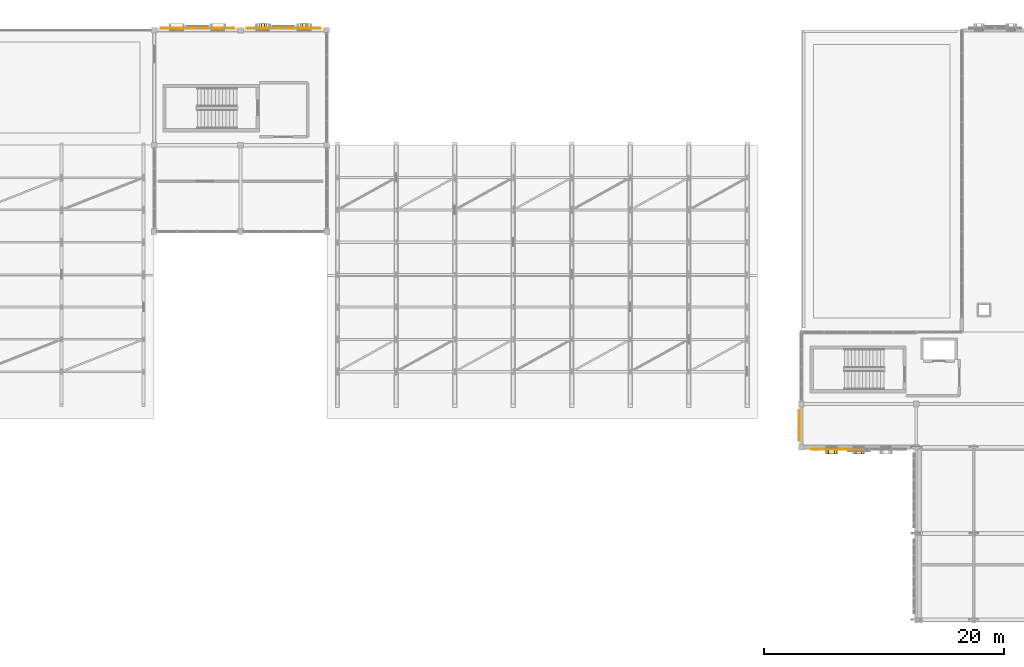
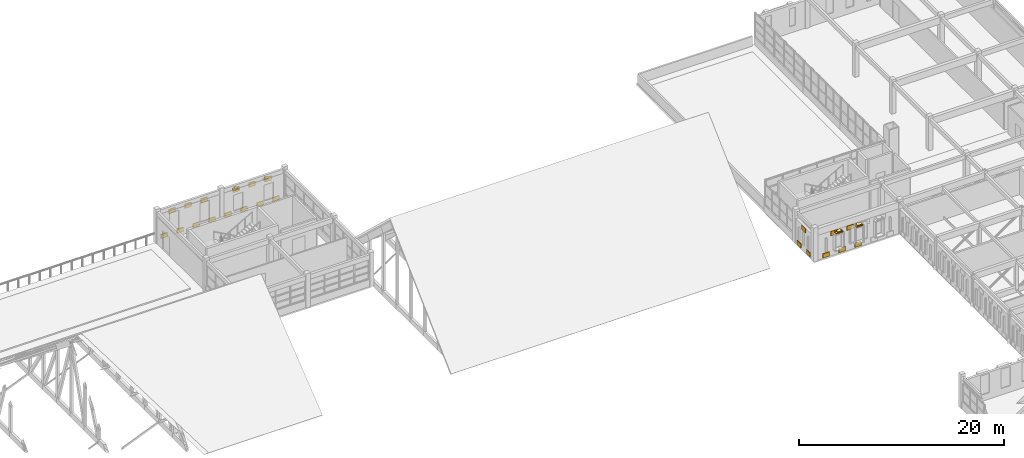
# One storey, part 77 of 79: 30 coverings.
"""IFC4 building model written with IfcOpenShell, lengths in metres."""

from ifc_helpers import new_model, si_unit, direction, frame, origin, origin_2d, place, context, subcontext, project, spatial, rectangle, extrude, material, layer, layer_set, type_object, element, save


model = new_model("IFC4")

# Units and contexts
model_context = context("Model", 3, precision=1e-05, world=origin(), true_north=direction((0.0, 1.0)))
body_context = subcontext(model_context, "Body", "Model", "MODEL_VIEW")
ifc_project = project(units=[si_unit("LENGTHUNIT", "METRE"), si_unit("AREAUNIT", "SQUARE_METRE"), si_unit("VOLUMEUNIT", "CUBIC_METRE"), si_unit("PLANEANGLEUNIT", "RADIAN"), si_unit("MASSUNIT", "GRAM", prefix="KILO")], contexts=[model_context])

# Site, building, storey
site_placement = place(None, origin())
site = spatial("IfcSite", under=ifc_project, at=site_placement, CompositionType="ELEMENT")
building_placement = place(site_placement, origin())
building = spatial("IfcBuilding", under=site, at=building_placement, Name="Nzembalo Square Collegiate School", CompositionType="ELEMENT")
storey_placement = place(building_placement, frame((0.0, 0.0, 9.52001953125)))
storey = spatial("IfcBuildingStorey", under=building, at=storey_placement, Name="L02", CompositionType="ELEMENT", Elevation=9.52001953125)

# Coverings
ifc_material_1 = material(Name="Glazed cobalt ceramic patterned tile")
ifc_layer_1 = layer(ifc_material_1, 0.074951171875, Name="Glazed cobalt ceramic patterned tile")
ifc_layer_set_1 = layer_set([ifc_layer_1], Name="Glazed cobalt ceramic patterned tile")
covering_type_1 = type_object("IfcCoveringType", Name="CL01", PredefinedType="CLADDING", material=ifc_layer_set_1)
for number, where, z_axis, x_axis, name in (
    (1, (132.0, 79.030029296875, 0.099853515625), (0.0, 0.0, 1.0), (1.0, 0.0, 0.0), "Patterned ceramic tile CL01-X0152-0-0"),
    (2, (132.89990234375, 79.030029296875, 2.43896484375), (0.0, 0.0, 1.0), (1.0, 0.0, 0.0), "Patterned ceramic tile CL01-X0152-1-1"),
    (3, (133.800048828125, 79.030029296875, 0.099853515625), (0.0, 0.0, 1.0), (1.0, 0.0, 0.0), "Patterned ceramic tile CL01-X0152-2-0"),
    (4, (134.699951171875, 79.030029296875, 2.43896484375), (0.0, 0.0, 1.0), (1.0, 0.0, 0.0), "Patterned ceramic tile CL01-X0152-3-1"),
    (5, (135.60009765625, 79.030029296875, 0.099853515625), (0.0, 0.0, 1.0), (1.0, 0.0, 0.0), "Patterned ceramic tile CL01-X0152-4-0"),
):
    element("IfcCovering", number, at=place(storey_placement, frame(where, z_axis=z_axis, x_axis=x_axis)), inside=storey, type_object=covering_type_1, Name=name, PredefinedType="CLADDING", context=body_context, shape_type="SweptSolid", body=[
        extrude(rectangle(XDim=0.739990234375, YDim=0.074951171875, at=origin_2d()), origin(), (0.0, 0.0, 1.0), 0.52001953125),
    ])
for number, where, z_axis, x_axis, name in (
    (6, (130.639892578125, 80.10009765625, 0.099853515625), (0.0, 0.0, 1.0), (1.0, 0.0, 0.0), "Patterned ceramic tile CL01-Y0153-0-0"),
    (7, (130.639892578125, 81.0, 2.43896484375), (0.0, 0.0, 1.0), (1.0, 0.0, 0.0), "Patterned ceramic tile CL01-Y0153-1-1"),
    (8, (130.639892578125, 81.89990234375, 0.099853515625), (0.0, 0.0, 1.0), (1.0, 0.0, 0.0), "Patterned ceramic tile CL01-Y0153-2-0"),
):
    element("IfcCovering", number, at=place(storey_placement, frame(where, z_axis=z_axis, x_axis=x_axis)), inside=storey, type_object=covering_type_1, Name=name, PredefinedType="CLADDING", context=body_context, shape_type="SweptSolid", body=[
        extrude(rectangle(XDim=0.074951171875, YDim=0.739990234375, at=origin_2d()), origin(), (0.0, 0.0, 1.0), 0.52001953125),
    ])
for number, where, z_axis, x_axis, name in (
    (9, (77.699951171875, 114.169921875, 0.099853515625), (0.0, 0.0, 1.0), (1.0, 0.0, 0.0), "Patterned ceramic tile CL01-X0196-0-0"),
    (10, (78.60009765625, 114.169921875, 2.759033203125), (0.0, 0.0, 1.0), (1.0, 0.0, 0.0), "Patterned ceramic tile CL01-X0196-1-1"),
    (11, (79.5, 114.169921875, 0.099853515625), (0.0, 0.0, 1.0), (1.0, 0.0, 0.0), "Patterned ceramic tile CL01-X0196-2-0"),
    (12, (80.39990234375, 114.169921875, 2.759033203125), (0.0, 0.0, 1.0), (1.0, 0.0, 0.0), "Patterned ceramic tile CL01-X0196-3-1"),
    (13, (81.300048828125, 114.169921875, 0.099853515625), (0.0, 0.0, 1.0), (1.0, 0.0, 0.0), "Patterned ceramic tile CL01-X0196-4-0"),
    (14, (82.199951171875, 114.169921875, 2.759033203125), (0.0, 0.0, 1.0), (1.0, 0.0, 0.0), "Patterned ceramic tile CL01-X0196-5-1"),
    (15, (83.10009765625, 114.169921875, 0.099853515625), (0.0, 0.0, 1.0), (1.0, 0.0, 0.0), "Patterned ceramic tile CL01-X0196-6-0"),
    (16, (84.89990234375, 114.159912109375, 0.099853515625), (0.0, 0.0, 1.0), (1.0, 0.0, 0.0), "Patterned ceramic tile CL01-X0197-0-0"),
    (17, (85.800048828125, 114.159912109375, 2.759033203125), (0.0, 0.0, 1.0), (1.0, 0.0, 0.0), "Patterned ceramic tile CL01-X0197-1-1"),
    (18, (86.699951171875, 114.159912109375, 0.099853515625), (0.0, 0.0, 1.0), (1.0, 0.0, 0.0), "Patterned ceramic tile CL01-X0197-2-0"),
    (19, (87.60009765625, 114.159912109375, 2.759033203125), (0.0, 0.0, 1.0), (1.0, 0.0, 0.0), "Patterned ceramic tile CL01-X0197-3-1"),
    (20, (88.5, 114.159912109375, 0.099853515625), (0.0, 0.0, 1.0), (1.0, 0.0, 0.0), "Patterned ceramic tile CL01-X0197-4-0"),
    (21, (89.39990234375, 114.159912109375, 2.759033203125), (0.0, 0.0, 1.0), (1.0, 0.0, 0.0), "Patterned ceramic tile CL01-X0197-5-1"),
    (22, (90.300048828125, 114.159912109375, 0.099853515625), (0.0, 0.0, 1.0), (1.0, 0.0, 0.0), "Patterned ceramic tile CL01-X0197-6-0"),
):
    element("IfcCovering", number, at=place(storey_placement, frame(where, z_axis=z_axis, x_axis=x_axis)), inside=storey, type_object=covering_type_1, Name=name, PredefinedType="CLADDING", context=body_context, shape_type="SweptSolid", body=[
        extrude(rectangle(XDim=0.739990234375, YDim=0.074951171875, at=origin_2d()), origin(), (0.0, 0.0, 1.0), 0.52001953125),
    ])
ifc_material_2 = material(Name="Glazed celadon ceramic window frame")
ifc_layer_2 = layer(ifc_material_2, 0.419921875, Name="Glazed celadon ceramic window frame")
ifc_layer_set_2 = layer_set([ifc_layer_2], Name="Glazed celadon ceramic window frame")
covering_type_2 = type_object("IfcCoveringType", Name="WF01", PredefinedType="CLADDING", material=ifc_layer_set_2)
covering_1_placement = place(storey_placement, frame((133.3359375, 78.8525390625, 2.679931640625), z_axis=(0.0, 0.0, 1.0), x_axis=(1.0, 0.0, 0.0)))
element("IfcCovering", 23, at=covering_1_placement, inside=storey, type_object=covering_type_2, Name="Pointed lancet gable WF01-0408-1", PredefinedType="CLADDING", context=body_context, shape_type="SweptSolid", body=[
    extrude(rectangle(XDim=0.77490234375, YDim=0.419921875, at=origin_2d()), origin(), (0.0, 0.0, 1.0), 0.1201171875),
])
covering_2_placement = place(storey_placement, frame((133.3359375, 78.8525390625, 2.7998046875), z_axis=(0.0, 0.0, 1.0), x_axis=(1.0, 0.0, 0.0)))
element("IfcCovering", 24, at=covering_2_placement, inside=storey, type_object=covering_type_2, Name="Pointed lancet gable WF01-0408-2", PredefinedType="CLADDING", context=body_context, shape_type="SweptSolid", body=[
    extrude(rectangle(XDim=0.489990234375, YDim=0.419921875, at=origin_2d()), origin(), (0.0, 0.0, 1.0), 0.1201171875),
])
covering_3_placement = place(storey_placement, frame((135.60009765625, 78.8525390625, 2.679931640625), z_axis=(0.0, 0.0, 1.0), x_axis=(1.0, 0.0, 0.0)))
element("IfcCovering", 25, at=covering_3_placement, inside=storey, type_object=covering_type_2, Name="Pointed lancet gable WF01-0409-1", PredefinedType="CLADDING", context=body_context, shape_type="SweptSolid", body=[
    extrude(rectangle(XDim=0.77490234375, YDim=0.419921875, at=origin_2d()), origin(), (0.0, 0.0, 1.0), 0.1201171875),
])
covering_4_placement = place(storey_placement, frame((135.60009765625, 78.8525390625, 2.7998046875), z_axis=(0.0, 0.0, 1.0), x_axis=(1.0, 0.0, 0.0)))
element("IfcCovering", 26, at=covering_4_placement, inside=storey, type_object=covering_type_2, Name="Pointed lancet gable WF01-0409-2", PredefinedType="CLADDING", context=body_context, shape_type="SweptSolid", body=[
    extrude(rectangle(XDim=0.489990234375, YDim=0.419921875, at=origin_2d()), origin(), (0.0, 0.0, 1.0), 0.1201171875),
])
covering_5_placement = place(storey_placement, frame((85.87841796875, 114.33740234375, 2.8798828125), z_axis=(0.0, 0.0, 1.0), x_axis=(1.0, 0.0, 0.0)))
element("IfcCovering", 27, at=covering_5_placement, inside=storey, type_object=covering_type_2, Name="Pointed lancet gable WF01-0530-2", PredefinedType="CLADDING", context=body_context, shape_type="SweptSolid", body=[
    extrude(rectangle(XDim=0.60009765625, YDim=0.419921875, at=origin_2d()), origin(), (0.0, 0.0, 1.0), 0.1201171875),
])
covering_6_placement = place(storey_placement, frame((85.87841796875, 114.33740234375, 3.0), z_axis=(0.0, 0.0, 1.0), x_axis=(1.0, 0.0, 0.0)))
element("IfcCovering", 28, at=covering_6_placement, inside=storey, type_object=covering_type_2, Name="Pointed lancet gable WF01-0530-3", PredefinedType="CLADDING", context=body_context, shape_type="SweptSolid", body=[
    extrude(rectangle(XDim=0.27490234375, YDim=0.419921875, at=origin_2d()), origin(), (0.0, 0.0, 1.0), 0.1201171875),
])
covering_7_placement = place(storey_placement, frame((89.321533203125, 114.33740234375, 2.8798828125), z_axis=(0.0, 0.0, 1.0), x_axis=(1.0, 0.0, 0.0)))
element("IfcCovering", 29, at=covering_7_placement, inside=storey, type_object=covering_type_2, Name="Pointed lancet gable WF01-0531-2", PredefinedType="CLADDING", context=body_context, shape_type="SweptSolid", body=[
    extrude(rectangle(XDim=0.60009765625, YDim=0.419921875, at=origin_2d()), origin(), (0.0, 0.0, 1.0), 0.1201171875),
])
covering_8_placement = place(storey_placement, frame((89.321533203125, 114.33740234375, 3.0), z_axis=(0.0, 0.0, 1.0), x_axis=(1.0, 0.0, 0.0)))
element("IfcCovering", 30, at=covering_8_placement, inside=storey, type_object=covering_type_2, Name="Pointed lancet gable WF01-0531-3", PredefinedType="CLADDING", context=body_context, shape_type="SweptSolid", body=[
    extrude(rectangle(XDim=0.27490234375, YDim=0.419921875, at=origin_2d()), origin(), (0.0, 0.0, 1.0), 0.1201171875),
])

save(model, "model.ifc")
